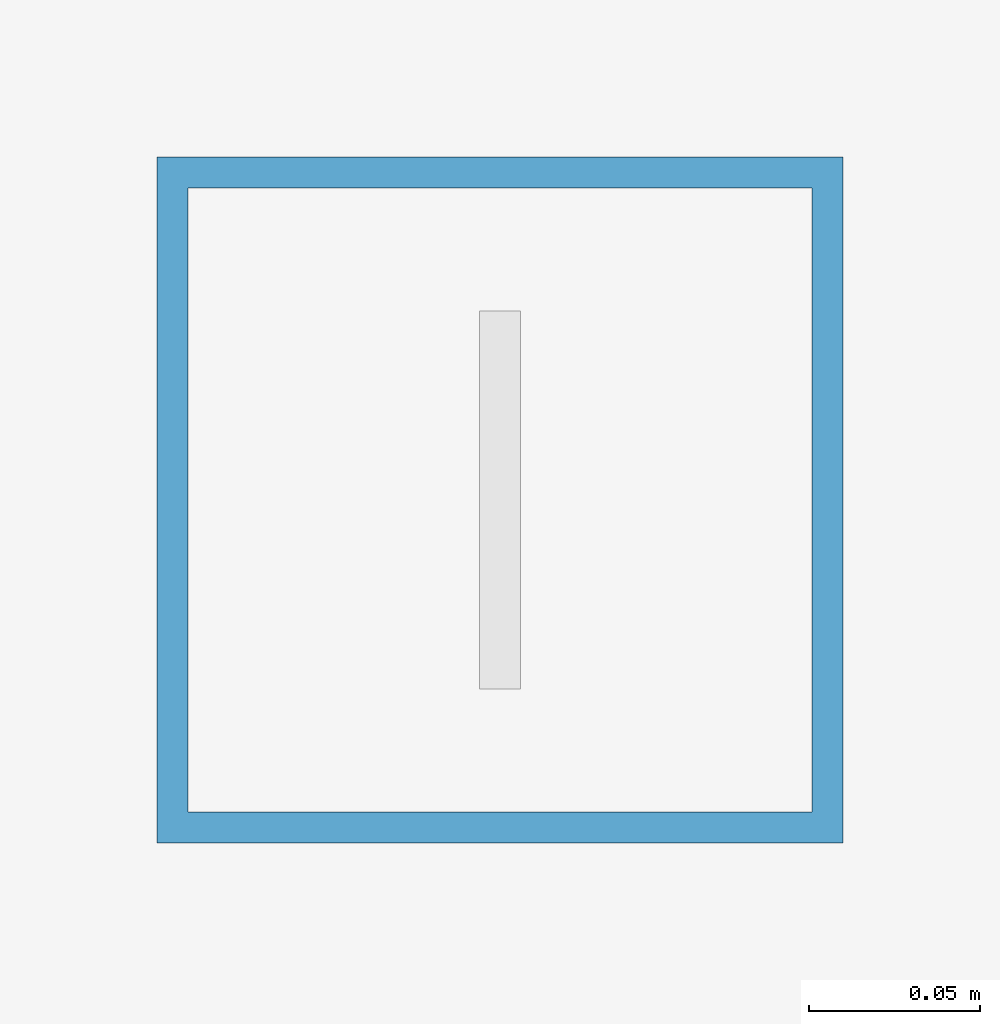
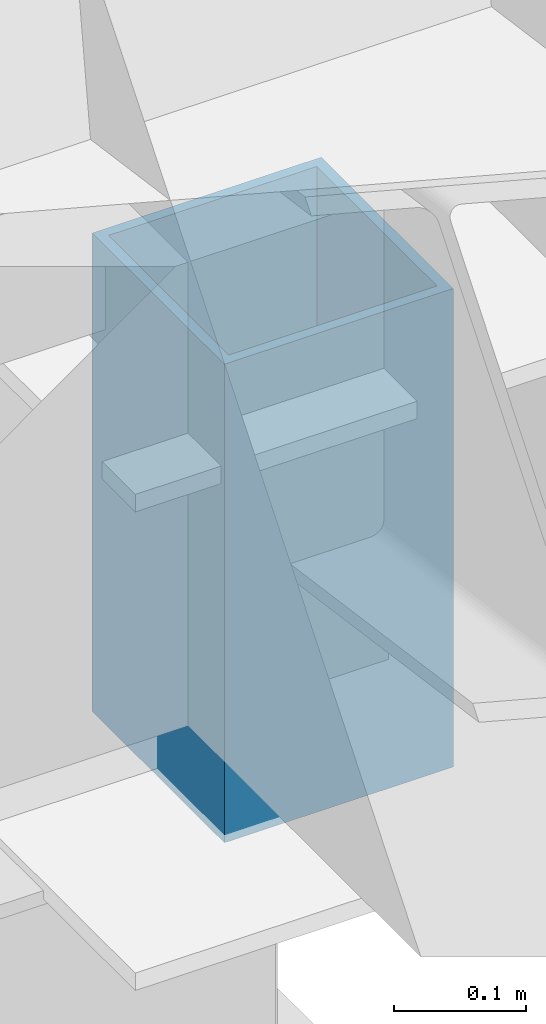
# One storey, part 37 of 70: 1 member.
"""IFC4 building model written with IfcOpenShell, lengths in metres."""

from ifc_helpers import new_model, si_unit, direction, frame, origin, origin_2d, place, context, subcontext, project, spatial, hollow_rectangle, extrude, material, material_profile, profile_set, type_object, element, save


model = new_model("IFC4")

# Units and contexts
model_context = context("Model", 3, precision=1e-05, world=origin(), true_north=direction((0.0, 1.0)))
body_context = subcontext(model_context, "Body", "Model", "MODEL_VIEW")
ifc_project = project(units=[si_unit("LENGTHUNIT", "METRE"), si_unit("AREAUNIT", "SQUARE_METRE"), si_unit("VOLUMEUNIT", "CUBIC_METRE"), si_unit("PLANEANGLEUNIT", "RADIAN"), si_unit("MASSUNIT", "GRAM", prefix="KILO")], contexts=[model_context])

# Site, building, storey
site_placement = place(None, origin())
site = spatial("IfcSite", under=ifc_project, at=site_placement, CompositionType="ELEMENT")
building_placement = place(site_placement, origin())
building = spatial("IfcBuilding", under=site, at=building_placement, Name="Vondelvale Polytechnic", CompositionType="ELEMENT")
storey_placement = place(building_placement, frame((0.0, 0.0, 22.199951171875)))
storey = spatial("IfcBuildingStorey", under=building, at=storey_placement, Name="L05", CompositionType="ELEMENT", Elevation=22.199951171875)

# Member
ifc_material = material(Name="Steel C350L0 (fy = 350 MPa)", Category="steel")
ifc_material_profile = material_profile(ifc_material, hollow_rectangle(XDim=0.199951171875, YDim=0.199951171875, WallThickness=0.009033203125, at=origin_2d()), Name="200x200x9.0SHS")
ifc_profile_set = profile_set([ifc_material_profile], Name="Steel C350L0 (fy = 350 MPa)")
member_type = type_object("IfcMemberType", Name="ROOF TRUSS POST 200SHS", PredefinedType="POST", material=ifc_profile_set)
member_placement = place(storey_placement, frame((172.800048828125, 24.199951171875, -0.179931640625), z_axis=(0.0, 0.0, 1.0), x_axis=(1.0, 0.0, 0.0)))
element("IfcMember", 1, at=member_placement, inside=storey, type_object=member_type, Name="Lecture wing roof post", PredefinedType="POST", context=body_context, shape_type="SweptSolid", body=[
    extrude(hollow_rectangle(XDim=0.199951171875, YDim=0.199951171875, WallThickness=0.009033203125, at=origin_2d()), origin(), (0.0, 0.0, 1.0), 0.44189453125),
])

save(model, "model.ifc")
